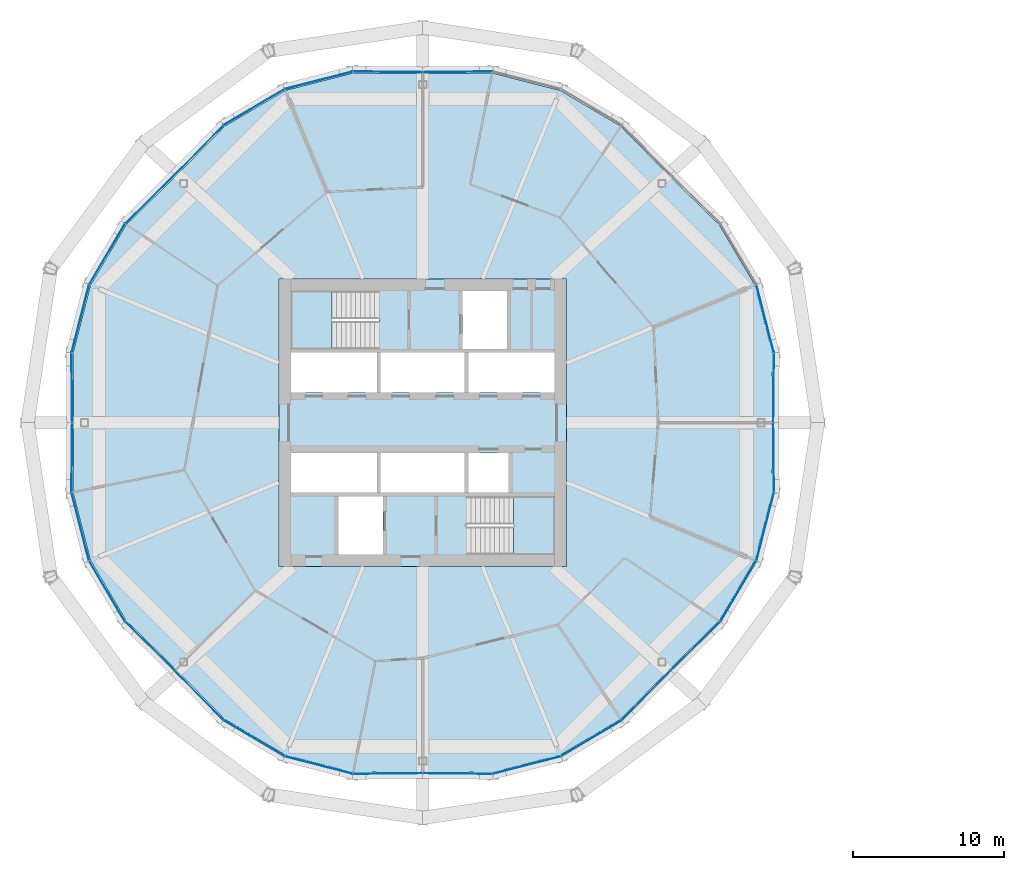
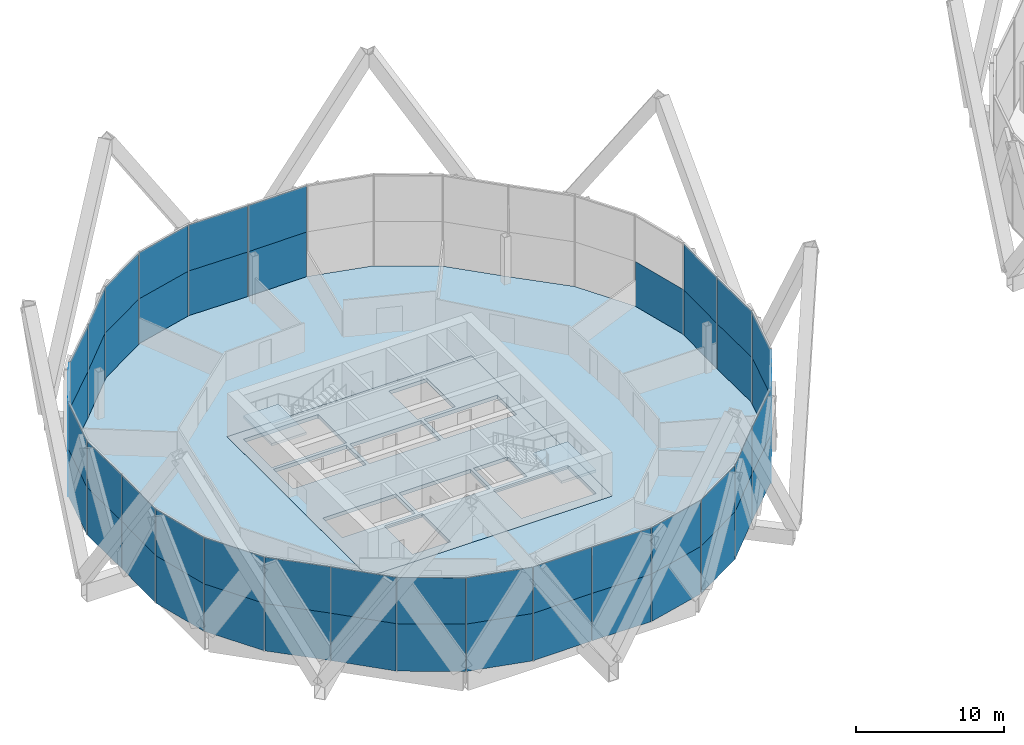
# One storey, part 19 of 28: 53 plates, 4 slabs, 10 elements without a shape of their own.
"""IFC4 building model written with IfcOpenShell, lengths in metres."""

from ifc_helpers import new_model, si_unit, direction, frame, origin, origin_2d, place, context, subcontext, project, spatial, polyline, rectangle, outline, extrude, material, layer, layer_set, type_object, element, aggregate, save


model = new_model("IFC4")

# Units and contexts
model_context = context("Model", 3, precision=1e-05, world=origin(), true_north=direction((0.0, 1.0)))
body_context = subcontext(model_context, "Body", "Model", "MODEL_VIEW")
ifc_project = project(units=[si_unit("LENGTHUNIT", "METRE"), si_unit("AREAUNIT", "SQUARE_METRE"), si_unit("VOLUMEUNIT", "CUBIC_METRE"), si_unit("PLANEANGLEUNIT", "RADIAN"), si_unit("MASSUNIT", "GRAM", prefix="KILO")], contexts=[model_context])

# Site, building, storey
site_placement = place(None, origin())
site = spatial("IfcSite", under=ifc_project, at=site_placement, CompositionType="ELEMENT")
building_placement = place(site_placement, origin())
building = spatial("IfcBuilding", under=site, at=building_placement, Name="Ogive Gate Towers", CompositionType="ELEMENT")
storey_placement = place(building_placement, frame((0.0, 0.0, 115.199951171875)))
storey = spatial("IfcBuildingStorey", under=building, at=storey_placement, Name="L27", CompositionType="ELEMENT", Elevation=115.199951171875)

# Slabs
ifc_material_1 = material(Name="Concrete C40/50", Category="concrete")
ifc_layer_1 = layer(ifc_material_1, 0.300048828125)
ifc_layer_set_1 = layer_set([ifc_layer_1], Name="Core slab C40/50 300 mm")
slab_type_1 = type_object("IfcSlabType", Name="Core slab C40/50 300 mm", PredefinedType="FLOOR", material=ifc_layer_set_1)
slab_1_placement = place(storey_placement, frame((0.0, 0.0, -0.300048828125)))
element("IfcSlab", 1, at=slab_1_placement, inside=storey, type_object=slab_type_1, Name="T1 L27 core slab", PredefinedType="FLOOR", context=body_context, shape_type="SweptSolid", body=[
    extrude(outline(polyline([(-26.5, 9.5), (-26.5, -9.5), (-45.5, -9.5), (-45.5, 9.5), (-26.5, 9.5)]), holes=[polyline([(-39.02490234375, 4.625), (-44.699951171875, 4.625), (-44.699951171875, 2.0), (-39.02490234375, 2.0), (-39.02490234375, 4.625)]), polyline([(-33.22509765625, 2.0), (-33.22509765625, 4.625), (-38.77490234375, 4.625), (-38.77490234375, 2.0), (-33.22509765625, 2.0)]), polyline([(-32.97509765625, 2.0), (-27.300048828125, 2.0), (-27.300048828125, 4.625), (-32.97509765625, 4.625), (-32.97509765625, 2.0)]), polyline([(-44.699951171875, -2.0), (-44.699951171875, -4.625), (-39.02490234375, -4.625), (-39.02490234375, -2.0), (-44.699951171875, -2.0)]), polyline([(-33.22509765625, -2.0), (-38.77490234375, -2.0), (-38.77490234375, -4.625), (-33.22509765625, -4.625), (-33.22509765625, -2.0)]), polyline([(-30.324951171875, -4.625), (-30.324951171875, -2.0), (-32.97509765625, -2.0), (-32.97509765625, -4.625), (-30.324951171875, -4.625)]), polyline([(-33.375, 4.875), (-30.425048828125, 4.875), (-30.425048828125, 8.699951171875), (-33.375, 8.699951171875), (-33.375, 4.875)]), polyline([(-41.574951171875, -4.875), (-41.574951171875, -8.699951171875), (-38.625, -8.699951171875), (-38.625, -4.875), (-41.574951171875, -4.875)]), polyline([(-44.699951171875, 4.875), (-38.885009765625, 4.875), (-38.885009765625, 8.699951171875), (-44.699951171875, 8.699951171875), (-44.699951171875, 4.875)]), polyline([(-27.300048828125, -8.699951171875), (-27.300048828125, -4.875), (-33.114990234375, -4.875), (-33.114990234375, -8.699951171875), (-27.300048828125, -8.699951171875)])]), origin(), (0.0, 0.0, 1.0), 0.300048828125),
])
ifc_material_2 = material(Name="Concrete C35/45", Category="concrete")
ifc_layer_2 = layer(ifc_material_2, 0.300048828125)
ifc_layer_set_2 = layer_set([ifc_layer_2], Name="Floor slab 300")
slab_type_2 = type_object("IfcSlabType", Name="Floor slab 300", PredefinedType="FLOOR", material=ifc_layer_set_2)
slab_2_placement = place(storey_placement, frame((0.0, 0.0, -0.300048828125)))
element("IfcSlab", 2, at=slab_2_placement, inside=storey, type_object=slab_type_2, Name="T1/L27/SSL001", PredefinedType="FLOOR", context=body_context, shape_type="SweptSolid", body=[
    extrude(outline(polyline([(-12.892578125, -4.596435546875), (-12.93994140625, 0.0), (-12.892578125, 4.596435546875), (-14.048583984375, 9.092529296875), (-16.41064453125, 13.08935546875), (-19.694091796875, 16.305908203125), (-22.91064453125, 19.58935546875), (-26.907470703125, 21.951416015625), (-31.403564453125, 23.107421875), (-36.0, 23.06005859375), (-40.596435546875, 23.107421875), (-45.092529296875, 21.951416015625), (-49.08935546875, 19.58935546875), (-52.305908203125, 16.305908203125), (-55.58935546875, 13.08935546875), (-57.951416015625, 9.092529296875), (-59.107421875, 4.596435546875), (-59.06005859375, 0.0), (-59.107421875, -4.596435546875), (-57.951416015625, -9.092529296875), (-55.58935546875, -13.08935546875), (-52.305908203125, -16.305908203125), (-49.08935546875, -19.58935546875), (-45.092529296875, -21.951416015625), (-40.596435546875, -23.107421875), (-36.0, -23.06005859375), (-31.403564453125, -23.107421875), (-26.907470703125, -21.951416015625), (-22.91064453125, -19.58935546875), (-19.694091796875, -16.305908203125), (-16.41064453125, -13.08935546875), (-14.048583984375, -9.092529296875), (-12.892578125, -4.596435546875)]), holes=[polyline([(-26.5, -9.5), (-45.5, -9.5), (-45.5, 9.5), (-26.5, 9.5), (-26.5, -9.5)])]), origin(), (0.0, 0.0, 1.0), 0.300048828125),
])

# Stair, slab
stair_type = type_object("IfcStairType", Name="Escape stair 1840 wide", PredefinedType="HALF_TURN_STAIR", material=ifc_material_1)
stair_1_placement = place(storey_placement, origin())
stair_1 = element("IfcStair", 3, at=stair_1_placement, inside=storey, type_object=stair_type, Name="L27 Escape stair 1", PredefinedType="HALF_TURN_STAIR")
ifc_layer_3 = layer(ifc_material_1, 0.199951171875)
ifc_layer_set_3 = layer_set([ifc_layer_3], Name="Stair landing 200 mm")
slab_type_3 = type_object("IfcSlabType", Name="Stair landing 200 mm", PredefinedType="LANDING", material=ifc_layer_set_3)
slab_3_placement = place(storey_placement, frame((0.0, 0.0, 1.75)))
slab_3 = element("IfcSlab", 4, at=slab_3_placement, type_object=slab_type_3, Name="ST1 landing 1", PredefinedType="LANDING", context=body_context, shape_type="SweptSolid", body=[
    extrude(outline(polyline([(-42.00146484375, 8.699951171875), (-44.699951171875, 8.699951171875), (-44.699951171875, 4.875), (-42.00146484375, 4.875), (-42.00146484375, 8.699951171875)])), origin(), (0.0, 0.0, 1.0), 0.199951171875),
])
aggregate(stair_1, [slab_3])

stair_2_placement = place(storey_placement, origin())
stair_2 = element("IfcStair", 5, at=stair_2_placement, inside=storey, type_object=stair_type, Name="L27 Escape stair 2", PredefinedType="HALF_TURN_STAIR")
slab_4_placement = place(storey_placement, frame((0.0, 0.0, 1.75)))
slab_4 = element("IfcSlab", 6, at=slab_4_placement, type_object=slab_type_3, Name="ST2 landing 1", PredefinedType="LANDING", context=body_context, shape_type="SweptSolid", body=[
    extrude(outline(polyline([(-29.99853515625, -8.699951171875), (-27.300048828125, -8.699951171875), (-27.300048828125, -4.875), (-29.99853515625, -4.875), (-29.99853515625, -8.699951171875)])), origin(), (0.0, 0.0, 1.0), 0.199951171875),
])
aggregate(stair_2, [slab_4])

# Curtain wall, plates
ifc_material_3 = material(Name="Pale metal aluminium", Category="aluminium")
curtain_wall_type = type_object("IfcCurtainWallType", Name="Tower unitised wall, low zone", PredefinedType="NOTDEFINED", material=ifc_material_3)
curtain_wall_1_placement = place(storey_placement, origin())
curtain_wall_1 = element("IfcCurtainWall", 7, at=curtain_wall_1_placement, inside=storey, type_object=curtain_wall_type, Name="CW1 T1 ECW01", PredefinedType="NOTDEFINED")
ifc_material_4 = material(Name="Clear glass", Category="glass")
ifc_layer_4 = layer(ifc_material_4, 0.028076171875)
ifc_layer_set_4 = layer_set([ifc_layer_4], Name="Tower unitised wall, low zone glass panel")
plate_type = type_object("IfcPlateType", Name="Tower unitised wall, low zone glass panel", PredefinedType="CURTAIN_PANEL", material=ifc_layer_set_4)
plate_1_placement = place(storey_placement, frame((-12.81640625, 2.30224609375, -0.2998046875), z_axis=(0.0, 0.0, 1.0), x_axis=(0.010279808233, 0.999947161375, 0.0)))
plate_1 = element("IfcPlate", 8, at=plate_1_placement, type_object=plate_type, Name="CW1 glass panel", PredefinedType="CURTAIN_PANEL", context=body_context, shape_type="SweptSolid", body=[
    extrude(rectangle(XDim=4.55078125, YDim=0.028076171875, at=origin_2d()), origin(), (0.0, 0.0, 1.0), 3.89990234375),
])
plate_2_placement = place(storey_placement, frame((-12.81640625, 2.30224609375, 3.60009765625), z_axis=(0.0, 0.0, 1.0), x_axis=(0.010279808233, 0.999947161375, 0.0)))
plate_2 = element("IfcPlate", 9, at=plate_2_placement, type_object=plate_type, Name="CW1 glass panel", PredefinedType="CURTAIN_PANEL", context=body_context, shape_type="SweptSolid", body=[
    extrude(rectangle(XDim=4.55078125, YDim=0.028076171875, at=origin_2d()), origin(), (0.0, 0.0, 1.0), 3.803955078125),
])
plate_3_placement = place(storey_placement, frame((-13.373779296875, 6.869873046875, -0.2998046875), z_axis=(0.0, 0.0, 1.0), x_axis=(-0.248977260623, 0.96850933072, 0.0)))
plate_3 = element("IfcPlate", 10, at=plate_3_placement, type_object=plate_type, Name="CW1 glass panel", PredefinedType="CURTAIN_PANEL", context=body_context, shape_type="SweptSolid", body=[
    extrude(rectangle(XDim=4.60791015625, YDim=0.028076171875, at=origin_2d()), origin(), (0.0, 0.0, 1.0), 3.89990234375),
])
aggregate(curtain_wall_1, [plate_1, plate_2, plate_3])

curtain_wall_2_placement = place(storey_placement, origin())
curtain_wall_2 = element("IfcCurtainWall", 11, at=curtain_wall_2_placement, inside=storey, type_object=curtain_wall_type, Name="CW1 T1 ECW02", PredefinedType="NOTDEFINED")
plate_4_placement = place(storey_placement, frame((-33.69775390625, 23.18359375, -0.2998046875), z_axis=(0.0, 0.0, 1.0), x_axis=(-0.999947161375, -0.010279808233, 0.0)))
plate_4 = element("IfcPlate", 12, at=plate_4_placement, type_object=plate_type, Name="CW1 glass panel", PredefinedType="CURTAIN_PANEL", context=body_context, shape_type="SweptSolid", body=[
    extrude(rectangle(XDim=4.55078125, YDim=0.028076171875, at=origin_2d()), origin(), (0.0, 0.0, 1.0), 3.89990234375),
])
plate_5_placement = place(storey_placement, frame((-33.69775390625, 23.18359375, 3.60009765625), z_axis=(0.0, 0.0, 1.0), x_axis=(-0.999947161375, -0.010279808233, 0.0)))
plate_5 = element("IfcPlate", 13, at=plate_5_placement, type_object=plate_type, Name="CW1 glass panel", PredefinedType="CURTAIN_PANEL", context=body_context, shape_type="SweptSolid", body=[
    extrude(rectangle(XDim=4.55078125, YDim=0.028076171875, at=origin_2d()), origin(), (0.0, 0.0, 1.0), 3.803955078125),
])
aggregate(curtain_wall_2, [plate_4, plate_5])

curtain_wall_3_placement = place(storey_placement, origin())
curtain_wall_3 = element("IfcCurtainWall", 14, at=curtain_wall_3_placement, inside=storey, type_object=curtain_wall_type, Name="CW1 T1 ECW03", PredefinedType="NOTDEFINED")
plate_6_placement = place(storey_placement, frame((-38.30224609375, 23.18359375, -0.2998046875), z_axis=(0.0, 0.0, 1.0), x_axis=(-0.999947161375, 0.010279808233, 0.0)))
plate_6 = element("IfcPlate", 15, at=plate_6_placement, type_object=plate_type, Name="CW1 glass panel", PredefinedType="CURTAIN_PANEL", context=body_context, shape_type="SweptSolid", body=[
    extrude(rectangle(XDim=4.55078125, YDim=0.028076171875, at=origin_2d()), origin(), (0.0, 0.0, 1.0), 3.89990234375),
])
plate_7_placement = place(storey_placement, frame((-38.30224609375, 23.18359375, 3.60009765625), z_axis=(0.0, 0.0, 1.0), x_axis=(-0.999947161375, 0.010279808233, 0.0)))
plate_7 = element("IfcPlate", 16, at=plate_7_placement, type_object=plate_type, Name="CW1 glass panel", PredefinedType="CURTAIN_PANEL", context=body_context, shape_type="SweptSolid", body=[
    extrude(rectangle(XDim=4.55078125, YDim=0.028076171875, at=origin_2d()), origin(), (0.0, 0.0, 1.0), 3.803955078125),
])
plate_8_placement = place(storey_placement, frame((-42.869873046875, 22.626220703125, -0.2998046875), z_axis=(0.0, 0.0, 1.0), x_axis=(-0.96850933072, -0.248977260623, 0.0)))
plate_8 = element("IfcPlate", 17, at=plate_8_placement, type_object=plate_type, Name="CW1 glass panel", PredefinedType="CURTAIN_PANEL", context=body_context, shape_type="SweptSolid", body=[
    extrude(rectangle(XDim=4.60791015625, YDim=0.028076171875, at=origin_2d()), origin(), (0.0, 0.0, 1.0), 3.89990234375),
])
plate_9_placement = place(storey_placement, frame((-42.869873046875, 22.626220703125, 3.60009765625), z_axis=(0.0, 0.0, 1.0), x_axis=(-0.96850933072, -0.248977260623, 0.0)))
plate_9 = element("IfcPlate", 18, at=plate_9_placement, type_object=plate_type, Name="CW1 glass panel", PredefinedType="CURTAIN_PANEL", context=body_context, shape_type="SweptSolid", body=[
    extrude(rectangle(XDim=4.60791015625, YDim=0.028076171875, at=origin_2d()), origin(), (0.0, 0.0, 1.0), 3.803955078125),
])
plate_10_placement = place(storey_placement, frame((-47.141357421875, 20.856689453125, -0.2998046875), z_axis=(0.0, 0.0, 1.0), x_axis=(-0.860901904603, -0.508770980552, 0.0)))
plate_10 = element("IfcPlate", 19, at=plate_10_placement, type_object=plate_type, Name="CW1 glass panel", PredefinedType="CURTAIN_PANEL", context=body_context, shape_type="SweptSolid", body=[
    extrude(rectangle(XDim=4.60791015625, YDim=0.028076171875, at=origin_2d()), origin(), (0.0, 0.0, 1.0), 3.89990234375),
])
plate_11_placement = place(storey_placement, frame((-47.141357421875, 20.856689453125, 3.60009765625), z_axis=(0.0, 0.0, 1.0), x_axis=(-0.860901904603, -0.508770980552, 0.0)))
plate_11 = element("IfcPlate", 20, at=plate_11_placement, type_object=plate_type, Name="CW1 glass panel", PredefinedType="CURTAIN_PANEL", context=body_context, shape_type="SweptSolid", body=[
    extrude(rectangle(XDim=4.60791015625, YDim=0.028076171875, at=origin_2d()), origin(), (0.0, 0.0, 1.0), 3.803955078125),
])
plate_12_placement = place(storey_placement, frame((-50.765380859375, 18.021240234375, -0.2998046875), z_axis=(0.0, 0.0, 1.0), x_axis=(-0.699788028863, -0.714350554462, 0.0)))
plate_12 = element("IfcPlate", 21, at=plate_12_placement, type_object=plate_type, Name="CW1 glass panel", PredefinedType="CURTAIN_PANEL", context=body_context, shape_type="SweptSolid", body=[
    extrude(rectangle(XDim=4.55078125, YDim=0.028076171875, at=origin_2d()), origin(), (0.0, 0.0, 1.0), 3.89990234375),
])
plate_13_placement = place(storey_placement, frame((-50.765380859375, 18.021240234375, 3.60009765625), z_axis=(0.0, 0.0, 1.0), x_axis=(-0.699788028863, -0.714350554462, 0.0)))
plate_13 = element("IfcPlate", 22, at=plate_13_placement, type_object=plate_type, Name="CW1 glass panel", PredefinedType="CURTAIN_PANEL", context=body_context, shape_type="SweptSolid", body=[
    extrude(rectangle(XDim=4.55078125, YDim=0.028076171875, at=origin_2d()), origin(), (0.0, 0.0, 1.0), 3.803955078125),
])
aggregate(curtain_wall_3, [plate_6, plate_7, plate_8, plate_9, plate_10, plate_11, plate_12, plate_13])

curtain_wall_4_placement = place(storey_placement, origin())
curtain_wall_4 = element("IfcCurtainWall", 23, at=curtain_wall_4_placement, inside=storey, type_object=curtain_wall_type, Name="CW1 T1 ECW04", PredefinedType="NOTDEFINED")
plate_14_placement = place(storey_placement, frame((-54.021240234375, 14.765380859375, -0.2998046875), z_axis=(0.0, 0.0, 1.0), x_axis=(-0.714350554462, -0.699788028863, 0.0)))
plate_14 = element("IfcPlate", 24, at=plate_14_placement, type_object=plate_type, Name="CW1 glass panel", PredefinedType="CURTAIN_PANEL", context=body_context, shape_type="SweptSolid", body=[
    extrude(rectangle(XDim=4.55078125, YDim=0.028076171875, at=origin_2d()), origin(), (0.0, 0.0, 1.0), 3.89990234375),
])
plate_15_placement = place(storey_placement, frame((-54.021240234375, 14.765380859375, 3.60009765625), z_axis=(0.0, 0.0, 1.0), x_axis=(-0.714350554462, -0.699788028863, 0.0)))
plate_15 = element("IfcPlate", 25, at=plate_15_placement, type_object=plate_type, Name="CW1 glass panel", PredefinedType="CURTAIN_PANEL", context=body_context, shape_type="SweptSolid", body=[
    extrude(rectangle(XDim=4.55078125, YDim=0.028076171875, at=origin_2d()), origin(), (0.0, 0.0, 1.0), 3.803955078125),
])
plate_16_placement = place(storey_placement, frame((-56.856689453125, 11.141357421875, -0.2998046875), z_axis=(0.0, 0.0, 1.0), x_axis=(-0.508770980552, -0.860901904603, 0.0)))
plate_16 = element("IfcPlate", 26, at=plate_16_placement, type_object=plate_type, Name="CW1 glass panel", PredefinedType="CURTAIN_PANEL", context=body_context, shape_type="SweptSolid", body=[
    extrude(rectangle(XDim=4.60791015625, YDim=0.028076171875, at=origin_2d()), origin(), (0.0, 0.0, 1.0), 3.89990234375),
])
plate_17_placement = place(storey_placement, frame((-56.856689453125, 11.141357421875, 3.60009765625), z_axis=(0.0, 0.0, 1.0), x_axis=(-0.508770980552, -0.860901904603, 0.0)))
plate_17 = element("IfcPlate", 27, at=plate_17_placement, type_object=plate_type, Name="CW1 glass panel", PredefinedType="CURTAIN_PANEL", context=body_context, shape_type="SweptSolid", body=[
    extrude(rectangle(XDim=4.60791015625, YDim=0.028076171875, at=origin_2d()), origin(), (0.0, 0.0, 1.0), 3.803955078125),
])
plate_18_placement = place(storey_placement, frame((-58.626220703125, 6.869873046875, -0.2998046875), z_axis=(0.0, 0.0, 1.0), x_axis=(-0.248977260623, -0.96850933072, 0.0)))
plate_18 = element("IfcPlate", 28, at=plate_18_placement, type_object=plate_type, Name="CW1 glass panel", PredefinedType="CURTAIN_PANEL", context=body_context, shape_type="SweptSolid", body=[
    extrude(rectangle(XDim=4.60791015625, YDim=0.028076171875, at=origin_2d()), origin(), (0.0, 0.0, 1.0), 3.89990234375),
])
plate_19_placement = place(storey_placement, frame((-58.626220703125, 6.869873046875, 3.60009765625), z_axis=(0.0, 0.0, 1.0), x_axis=(-0.248977260623, -0.96850933072, 0.0)))
plate_19 = element("IfcPlate", 29, at=plate_19_placement, type_object=plate_type, Name="CW1 glass panel", PredefinedType="CURTAIN_PANEL", context=body_context, shape_type="SweptSolid", body=[
    extrude(rectangle(XDim=4.60791015625, YDim=0.028076171875, at=origin_2d()), origin(), (0.0, 0.0, 1.0), 3.803955078125),
])
plate_20_placement = place(storey_placement, frame((-59.18359375, 2.30224609375, -0.2998046875), z_axis=(0.0, 0.0, 1.0), x_axis=(0.010279808233, -0.999947161375, 0.0)))
plate_20 = element("IfcPlate", 30, at=plate_20_placement, type_object=plate_type, Name="CW1 glass panel", PredefinedType="CURTAIN_PANEL", context=body_context, shape_type="SweptSolid", body=[
    extrude(rectangle(XDim=4.55078125, YDim=0.028076171875, at=origin_2d()), origin(), (0.0, 0.0, 1.0), 3.89990234375),
])
plate_21_placement = place(storey_placement, frame((-59.18359375, 2.30224609375, 3.60009765625), z_axis=(0.0, 0.0, 1.0), x_axis=(0.010279808233, -0.999947161375, 0.0)))
plate_21 = element("IfcPlate", 31, at=plate_21_placement, type_object=plate_type, Name="CW1 glass panel", PredefinedType="CURTAIN_PANEL", context=body_context, shape_type="SweptSolid", body=[
    extrude(rectangle(XDim=4.55078125, YDim=0.028076171875, at=origin_2d()), origin(), (0.0, 0.0, 1.0), 3.803955078125),
])
aggregate(curtain_wall_4, [plate_14, plate_15, plate_16, plate_17, plate_18, plate_19, plate_20, plate_21])

curtain_wall_5_placement = place(storey_placement, origin())
curtain_wall_5 = element("IfcCurtainWall", 32, at=curtain_wall_5_placement, inside=storey, type_object=curtain_wall_type, Name="CW1 T1 ECW05", PredefinedType="NOTDEFINED")
plate_22_placement = place(storey_placement, frame((-59.18359375, -2.30224609375, -0.2998046875), z_axis=(0.0, 0.0, 1.0), x_axis=(-0.010279808233, -0.999947161375, 0.0)))
plate_22 = element("IfcPlate", 33, at=plate_22_placement, type_object=plate_type, Name="CW1 glass panel", PredefinedType="CURTAIN_PANEL", context=body_context, shape_type="SweptSolid", body=[
    extrude(rectangle(XDim=4.55078125, YDim=0.028076171875, at=origin_2d()), origin(), (0.0, 0.0, 1.0), 3.89990234375),
])
plate_23_placement = place(storey_placement, frame((-59.18359375, -2.30224609375, 3.60009765625), z_axis=(0.0, 0.0, 1.0), x_axis=(-0.010279808233, -0.999947161375, 0.0)))
plate_23 = element("IfcPlate", 34, at=plate_23_placement, type_object=plate_type, Name="CW1 glass panel", PredefinedType="CURTAIN_PANEL", context=body_context, shape_type="SweptSolid", body=[
    extrude(rectangle(XDim=4.55078125, YDim=0.028076171875, at=origin_2d()), origin(), (0.0, 0.0, 1.0), 3.803955078125),
])
plate_24_placement = place(storey_placement, frame((-58.626220703125, -6.869873046875, -0.2998046875), z_axis=(0.0, 0.0, 1.0), x_axis=(0.248977260623, -0.96850933072, 0.0)))
plate_24 = element("IfcPlate", 35, at=plate_24_placement, type_object=plate_type, Name="CW1 glass panel", PredefinedType="CURTAIN_PANEL", context=body_context, shape_type="SweptSolid", body=[
    extrude(rectangle(XDim=4.60791015625, YDim=0.028076171875, at=origin_2d()), origin(), (0.0, 0.0, 1.0), 3.89990234375),
])
plate_25_placement = place(storey_placement, frame((-58.626220703125, -6.869873046875, 3.60009765625), z_axis=(0.0, 0.0, 1.0), x_axis=(0.248977260623, -0.96850933072, 0.0)))
plate_25 = element("IfcPlate", 36, at=plate_25_placement, type_object=plate_type, Name="CW1 glass panel", PredefinedType="CURTAIN_PANEL", context=body_context, shape_type="SweptSolid", body=[
    extrude(rectangle(XDim=4.60791015625, YDim=0.028076171875, at=origin_2d()), origin(), (0.0, 0.0, 1.0), 3.803955078125),
])
plate_26_placement = place(storey_placement, frame((-56.856689453125, -11.141357421875, -0.2998046875), z_axis=(0.0, 0.0, 1.0), x_axis=(0.508770980552, -0.860901904603, 0.0)))
plate_26 = element("IfcPlate", 37, at=plate_26_placement, type_object=plate_type, Name="CW1 glass panel", PredefinedType="CURTAIN_PANEL", context=body_context, shape_type="SweptSolid", body=[
    extrude(rectangle(XDim=4.60791015625, YDim=0.028076171875, at=origin_2d()), origin(), (0.0, 0.0, 1.0), 3.89990234375),
])
plate_27_placement = place(storey_placement, frame((-56.856689453125, -11.141357421875, 3.60009765625), z_axis=(0.0, 0.0, 1.0), x_axis=(0.508770980552, -0.860901904603, 0.0)))
plate_27 = element("IfcPlate", 38, at=plate_27_placement, type_object=plate_type, Name="CW1 glass panel", PredefinedType="CURTAIN_PANEL", context=body_context, shape_type="SweptSolid", body=[
    extrude(rectangle(XDim=4.60791015625, YDim=0.028076171875, at=origin_2d()), origin(), (0.0, 0.0, 1.0), 3.803955078125),
])
plate_28_placement = place(storey_placement, frame((-54.021240234375, -14.765380859375, -0.2998046875), z_axis=(0.0, 0.0, 1.0), x_axis=(0.714350554462, -0.699788028863, 0.0)))
plate_28 = element("IfcPlate", 39, at=plate_28_placement, type_object=plate_type, Name="CW1 glass panel", PredefinedType="CURTAIN_PANEL", context=body_context, shape_type="SweptSolid", body=[
    extrude(rectangle(XDim=4.55078125, YDim=0.028076171875, at=origin_2d()), origin(), (0.0, 0.0, 1.0), 3.89990234375),
])
plate_29_placement = place(storey_placement, frame((-54.021240234375, -14.765380859375, 3.60009765625), z_axis=(0.0, 0.0, 1.0), x_axis=(0.714350554462, -0.699788028863, 0.0)))
plate_29 = element("IfcPlate", 40, at=plate_29_placement, type_object=plate_type, Name="CW1 glass panel", PredefinedType="CURTAIN_PANEL", context=body_context, shape_type="SweptSolid", body=[
    extrude(rectangle(XDim=4.55078125, YDim=0.028076171875, at=origin_2d()), origin(), (0.0, 0.0, 1.0), 3.803955078125),
])
aggregate(curtain_wall_5, [plate_22, plate_23, plate_24, plate_25, plate_26, plate_27, plate_28, plate_29])

curtain_wall_6_placement = place(storey_placement, origin())
curtain_wall_6 = element("IfcCurtainWall", 41, at=curtain_wall_6_placement, inside=storey, type_object=curtain_wall_type, Name="CW1 T1 ECW06", PredefinedType="NOTDEFINED")
plate_30_placement = place(storey_placement, frame((-50.765380859375, -18.021240234375, -0.2998046875), z_axis=(0.0, 0.0, 1.0), x_axis=(0.699788028863, -0.714350554462, 0.0)))
plate_30 = element("IfcPlate", 42, at=plate_30_placement, type_object=plate_type, Name="CW1 glass panel", PredefinedType="CURTAIN_PANEL", context=body_context, shape_type="SweptSolid", body=[
    extrude(rectangle(XDim=4.55078125, YDim=0.028076171875, at=origin_2d()), origin(), (0.0, 0.0, 1.0), 3.89990234375),
])
plate_31_placement = place(storey_placement, frame((-50.765380859375, -18.021240234375, 3.60009765625), z_axis=(0.0, 0.0, 1.0), x_axis=(0.699788028863, -0.714350554462, 0.0)))
plate_31 = element("IfcPlate", 43, at=plate_31_placement, type_object=plate_type, Name="CW1 glass panel", PredefinedType="CURTAIN_PANEL", context=body_context, shape_type="SweptSolid", body=[
    extrude(rectangle(XDim=4.55078125, YDim=0.028076171875, at=origin_2d()), origin(), (0.0, 0.0, 1.0), 3.803955078125),
])
plate_32_placement = place(storey_placement, frame((-47.141357421875, -20.856689453125, -0.2998046875), z_axis=(0.0, 0.0, 1.0), x_axis=(0.860901904603, -0.508770980552, 0.0)))
plate_32 = element("IfcPlate", 44, at=plate_32_placement, type_object=plate_type, Name="CW1 glass panel", PredefinedType="CURTAIN_PANEL", context=body_context, shape_type="SweptSolid", body=[
    extrude(rectangle(XDim=4.60791015625, YDim=0.028076171875, at=origin_2d()), origin(), (0.0, 0.0, 1.0), 3.89990234375),
])
plate_33_placement = place(storey_placement, frame((-47.141357421875, -20.856689453125, 3.60009765625), z_axis=(0.0, 0.0, 1.0), x_axis=(0.860901904603, -0.508770980552, 0.0)))
plate_33 = element("IfcPlate", 45, at=plate_33_placement, type_object=plate_type, Name="CW1 glass panel", PredefinedType="CURTAIN_PANEL", context=body_context, shape_type="SweptSolid", body=[
    extrude(rectangle(XDim=4.60791015625, YDim=0.028076171875, at=origin_2d()), origin(), (0.0, 0.0, 1.0), 3.803955078125),
])
plate_34_placement = place(storey_placement, frame((-42.869873046875, -22.626220703125, -0.2998046875), z_axis=(0.0, 0.0, 1.0), x_axis=(0.96850933072, -0.248977260623, 0.0)))
plate_34 = element("IfcPlate", 46, at=plate_34_placement, type_object=plate_type, Name="CW1 glass panel", PredefinedType="CURTAIN_PANEL", context=body_context, shape_type="SweptSolid", body=[
    extrude(rectangle(XDim=4.60791015625, YDim=0.028076171875, at=origin_2d()), origin(), (0.0, 0.0, 1.0), 3.89990234375),
])
plate_35_placement = place(storey_placement, frame((-42.869873046875, -22.626220703125, 3.60009765625), z_axis=(0.0, 0.0, 1.0), x_axis=(0.96850933072, -0.248977260623, 0.0)))
plate_35 = element("IfcPlate", 47, at=plate_35_placement, type_object=plate_type, Name="CW1 glass panel", PredefinedType="CURTAIN_PANEL", context=body_context, shape_type="SweptSolid", body=[
    extrude(rectangle(XDim=4.60791015625, YDim=0.028076171875, at=origin_2d()), origin(), (0.0, 0.0, 1.0), 3.803955078125),
])
plate_36_placement = place(storey_placement, frame((-38.30224609375, -23.18359375, -0.2998046875), z_axis=(0.0, 0.0, 1.0), x_axis=(0.999947161375, 0.010279808233, 0.0)))
plate_36 = element("IfcPlate", 48, at=plate_36_placement, type_object=plate_type, Name="CW1 glass panel", PredefinedType="CURTAIN_PANEL", context=body_context, shape_type="SweptSolid", body=[
    extrude(rectangle(XDim=4.55078125, YDim=0.028076171875, at=origin_2d()), origin(), (0.0, 0.0, 1.0), 3.89990234375),
])
plate_37_placement = place(storey_placement, frame((-38.30224609375, -23.18359375, 3.60009765625), z_axis=(0.0, 0.0, 1.0), x_axis=(0.999947161375, 0.010279808233, 0.0)))
plate_37 = element("IfcPlate", 49, at=plate_37_placement, type_object=plate_type, Name="CW1 glass panel", PredefinedType="CURTAIN_PANEL", context=body_context, shape_type="SweptSolid", body=[
    extrude(rectangle(XDim=4.55078125, YDim=0.028076171875, at=origin_2d()), origin(), (0.0, 0.0, 1.0), 3.803955078125),
])
aggregate(curtain_wall_6, [plate_30, plate_31, plate_32, plate_33, plate_34, plate_35, plate_36, plate_37])

curtain_wall_7_placement = place(storey_placement, origin())
curtain_wall_7 = element("IfcCurtainWall", 50, at=curtain_wall_7_placement, inside=storey, type_object=curtain_wall_type, Name="CW1 T1 ECW07", PredefinedType="NOTDEFINED")
plate_38_placement = place(storey_placement, frame((-33.69775390625, -23.18359375, -0.2998046875), z_axis=(0.0, 0.0, 1.0), x_axis=(0.999947161375, -0.010279808233, 0.0)))
plate_38 = element("IfcPlate", 51, at=plate_38_placement, type_object=plate_type, Name="CW1 glass panel", PredefinedType="CURTAIN_PANEL", context=body_context, shape_type="SweptSolid", body=[
    extrude(rectangle(XDim=4.55078125, YDim=0.028076171875, at=origin_2d()), origin(), (0.0, 0.0, 1.0), 3.89990234375),
])
plate_39_placement = place(storey_placement, frame((-33.69775390625, -23.18359375, 3.60009765625), z_axis=(0.0, 0.0, 1.0), x_axis=(0.999947161375, -0.010279808233, 0.0)))
plate_39 = element("IfcPlate", 52, at=plate_39_placement, type_object=plate_type, Name="CW1 glass panel", PredefinedType="CURTAIN_PANEL", context=body_context, shape_type="SweptSolid", body=[
    extrude(rectangle(XDim=4.55078125, YDim=0.028076171875, at=origin_2d()), origin(), (0.0, 0.0, 1.0), 3.803955078125),
])
plate_40_placement = place(storey_placement, frame((-29.130126953125, -22.626220703125, -0.2998046875), z_axis=(0.0, 0.0, 1.0), x_axis=(0.96850933072, 0.248977260623, 0.0)))
plate_40 = element("IfcPlate", 53, at=plate_40_placement, type_object=plate_type, Name="CW1 glass panel", PredefinedType="CURTAIN_PANEL", context=body_context, shape_type="SweptSolid", body=[
    extrude(rectangle(XDim=4.60791015625, YDim=0.028076171875, at=origin_2d()), origin(), (0.0, 0.0, 1.0), 3.89990234375),
])
plate_41_placement = place(storey_placement, frame((-29.130126953125, -22.626220703125, 3.60009765625), z_axis=(0.0, 0.0, 1.0), x_axis=(0.96850933072, 0.248977260623, 0.0)))
plate_41 = element("IfcPlate", 54, at=plate_41_placement, type_object=plate_type, Name="CW1 glass panel", PredefinedType="CURTAIN_PANEL", context=body_context, shape_type="SweptSolid", body=[
    extrude(rectangle(XDim=4.60791015625, YDim=0.028076171875, at=origin_2d()), origin(), (0.0, 0.0, 1.0), 3.803955078125),
])
plate_42_placement = place(storey_placement, frame((-24.858642578125, -20.856689453125, -0.2998046875), z_axis=(0.0, 0.0, 1.0), x_axis=(0.860901904603, 0.508770980552, 0.0)))
plate_42 = element("IfcPlate", 55, at=plate_42_placement, type_object=plate_type, Name="CW1 glass panel", PredefinedType="CURTAIN_PANEL", context=body_context, shape_type="SweptSolid", body=[
    extrude(rectangle(XDim=4.60791015625, YDim=0.028076171875, at=origin_2d()), origin(), (0.0, 0.0, 1.0), 3.89990234375),
])
plate_43_placement = place(storey_placement, frame((-24.858642578125, -20.856689453125, 3.60009765625), z_axis=(0.0, 0.0, 1.0), x_axis=(0.860901904603, 0.508770980552, 0.0)))
plate_43 = element("IfcPlate", 56, at=plate_43_placement, type_object=plate_type, Name="CW1 glass panel", PredefinedType="CURTAIN_PANEL", context=body_context, shape_type="SweptSolid", body=[
    extrude(rectangle(XDim=4.60791015625, YDim=0.028076171875, at=origin_2d()), origin(), (0.0, 0.0, 1.0), 3.803955078125),
])
plate_44_placement = place(storey_placement, frame((-21.234619140625, -18.021240234375, -0.2998046875), z_axis=(0.0, 0.0, 1.0), x_axis=(0.699788028863, 0.714350554462, 0.0)))
plate_44 = element("IfcPlate", 57, at=plate_44_placement, type_object=plate_type, Name="CW1 glass panel", PredefinedType="CURTAIN_PANEL", context=body_context, shape_type="SweptSolid", body=[
    extrude(rectangle(XDim=4.55078125, YDim=0.028076171875, at=origin_2d()), origin(), (0.0, 0.0, 1.0), 3.89990234375),
])
plate_45_placement = place(storey_placement, frame((-21.234619140625, -18.021240234375, 3.60009765625), z_axis=(0.0, 0.0, 1.0), x_axis=(0.699788028863, 0.714350554462, 0.0)))
plate_45 = element("IfcPlate", 58, at=plate_45_placement, type_object=plate_type, Name="CW1 glass panel", PredefinedType="CURTAIN_PANEL", context=body_context, shape_type="SweptSolid", body=[
    extrude(rectangle(XDim=4.55078125, YDim=0.028076171875, at=origin_2d()), origin(), (0.0, 0.0, 1.0), 3.803955078125),
])
aggregate(curtain_wall_7, [plate_38, plate_39, plate_40, plate_41, plate_42, plate_43, plate_44, plate_45])

curtain_wall_8_placement = place(storey_placement, origin())
curtain_wall_8 = element("IfcCurtainWall", 59, at=curtain_wall_8_placement, inside=storey, type_object=curtain_wall_type, Name="CW1 T1 ECW08", PredefinedType="NOTDEFINED")
plate_46_placement = place(storey_placement, frame((-17.978759765625, -14.765380859375, -0.2998046875), z_axis=(0.0, 0.0, 1.0), x_axis=(0.714350554462, 0.699788028863, 0.0)))
plate_46 = element("IfcPlate", 60, at=plate_46_placement, type_object=plate_type, Name="CW1 glass panel", PredefinedType="CURTAIN_PANEL", context=body_context, shape_type="SweptSolid", body=[
    extrude(rectangle(XDim=4.55078125, YDim=0.028076171875, at=origin_2d()), origin(), (0.0, 0.0, 1.0), 3.89990234375),
])
plate_47_placement = place(storey_placement, frame((-17.978759765625, -14.765380859375, 3.60009765625), z_axis=(0.0, 0.0, 1.0), x_axis=(0.714350554462, 0.699788028863, 0.0)))
plate_47 = element("IfcPlate", 61, at=plate_47_placement, type_object=plate_type, Name="CW1 glass panel", PredefinedType="CURTAIN_PANEL", context=body_context, shape_type="SweptSolid", body=[
    extrude(rectangle(XDim=4.55078125, YDim=0.028076171875, at=origin_2d()), origin(), (0.0, 0.0, 1.0), 3.803955078125),
])
plate_48_placement = place(storey_placement, frame((-15.143310546875, -11.141357421875, -0.2998046875), z_axis=(0.0, 0.0, 1.0), x_axis=(0.508770980552, 0.860901904603, 0.0)))
plate_48 = element("IfcPlate", 62, at=plate_48_placement, type_object=plate_type, Name="CW1 glass panel", PredefinedType="CURTAIN_PANEL", context=body_context, shape_type="SweptSolid", body=[
    extrude(rectangle(XDim=4.60791015625, YDim=0.028076171875, at=origin_2d()), origin(), (0.0, 0.0, 1.0), 3.89990234375),
])
plate_49_placement = place(storey_placement, frame((-15.143310546875, -11.141357421875, 3.60009765625), z_axis=(0.0, 0.0, 1.0), x_axis=(0.508770980552, 0.860901904603, 0.0)))
plate_49 = element("IfcPlate", 63, at=plate_49_placement, type_object=plate_type, Name="CW1 glass panel", PredefinedType="CURTAIN_PANEL", context=body_context, shape_type="SweptSolid", body=[
    extrude(rectangle(XDim=4.60791015625, YDim=0.028076171875, at=origin_2d()), origin(), (0.0, 0.0, 1.0), 3.803955078125),
])
plate_50_placement = place(storey_placement, frame((-13.373779296875, -6.869873046875, -0.2998046875), z_axis=(0.0, 0.0, 1.0), x_axis=(0.248977260623, 0.96850933072, 0.0)))
plate_50 = element("IfcPlate", 64, at=plate_50_placement, type_object=plate_type, Name="CW1 glass panel", PredefinedType="CURTAIN_PANEL", context=body_context, shape_type="SweptSolid", body=[
    extrude(rectangle(XDim=4.60791015625, YDim=0.028076171875, at=origin_2d()), origin(), (0.0, 0.0, 1.0), 3.89990234375),
])
plate_51_placement = place(storey_placement, frame((-13.373779296875, -6.869873046875, 3.60009765625), z_axis=(0.0, 0.0, 1.0), x_axis=(0.248977260623, 0.96850933072, 0.0)))
plate_51 = element("IfcPlate", 65, at=plate_51_placement, type_object=plate_type, Name="CW1 glass panel", PredefinedType="CURTAIN_PANEL", context=body_context, shape_type="SweptSolid", body=[
    extrude(rectangle(XDim=4.60791015625, YDim=0.028076171875, at=origin_2d()), origin(), (0.0, 0.0, 1.0), 3.803955078125),
])
plate_52_placement = place(storey_placement, frame((-12.81640625, -2.30224609375, -0.2998046875), z_axis=(0.0, 0.0, 1.0), x_axis=(-0.010279808233, 0.999947161375, 0.0)))
plate_52 = element("IfcPlate", 66, at=plate_52_placement, type_object=plate_type, Name="CW1 glass panel", PredefinedType="CURTAIN_PANEL", context=body_context, shape_type="SweptSolid", body=[
    extrude(rectangle(XDim=4.55078125, YDim=0.028076171875, at=origin_2d()), origin(), (0.0, 0.0, 1.0), 3.89990234375),
])
plate_53_placement = place(storey_placement, frame((-12.81640625, -2.30224609375, 3.60009765625), z_axis=(0.0, 0.0, 1.0), x_axis=(-0.010279808233, 0.999947161375, 0.0)))
plate_53 = element("IfcPlate", 67, at=plate_53_placement, type_object=plate_type, Name="CW1 glass panel", PredefinedType="CURTAIN_PANEL", context=body_context, shape_type="SweptSolid", body=[
    extrude(rectangle(XDim=4.55078125, YDim=0.028076171875, at=origin_2d()), origin(), (0.0, 0.0, 1.0), 3.803955078125),
])
aggregate(curtain_wall_8, [plate_46, plate_47, plate_48, plate_49, plate_50, plate_51, plate_52, plate_53])

save(model, "model.ifc")
